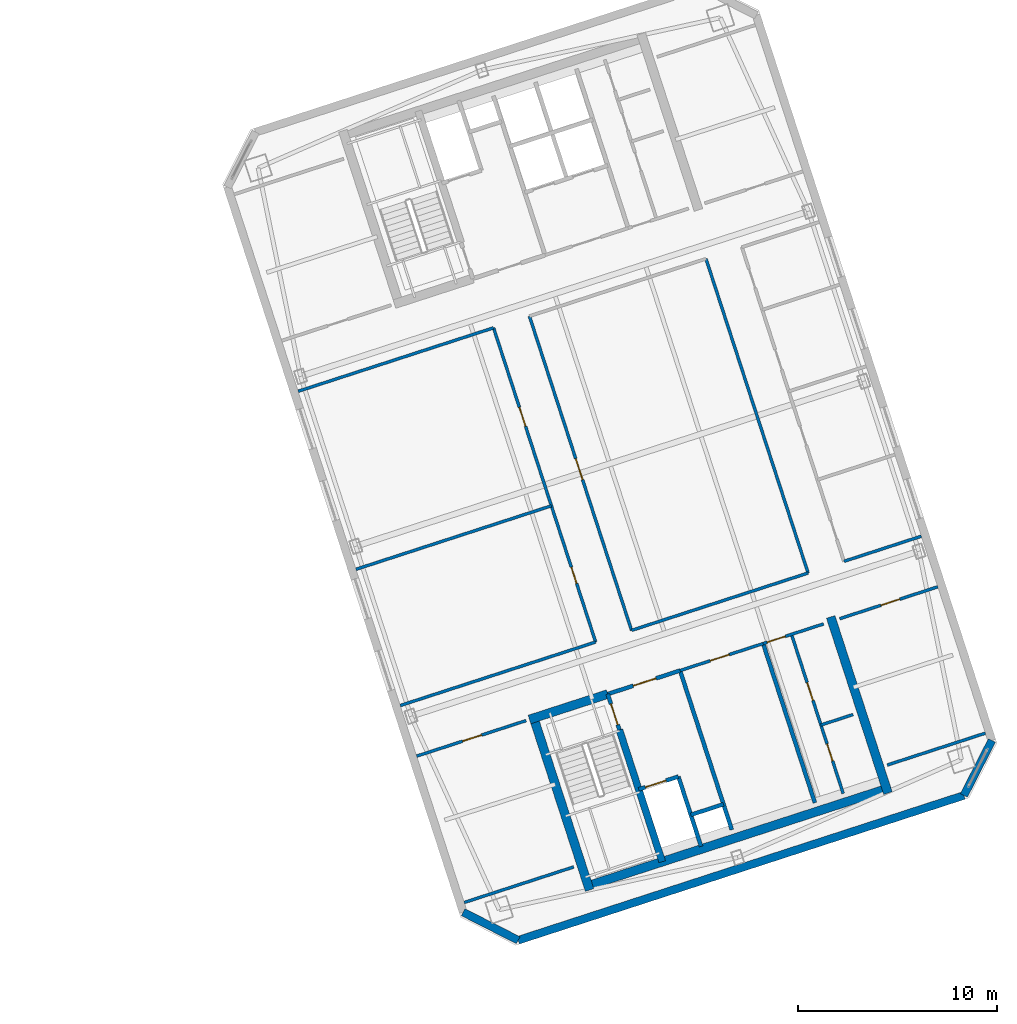
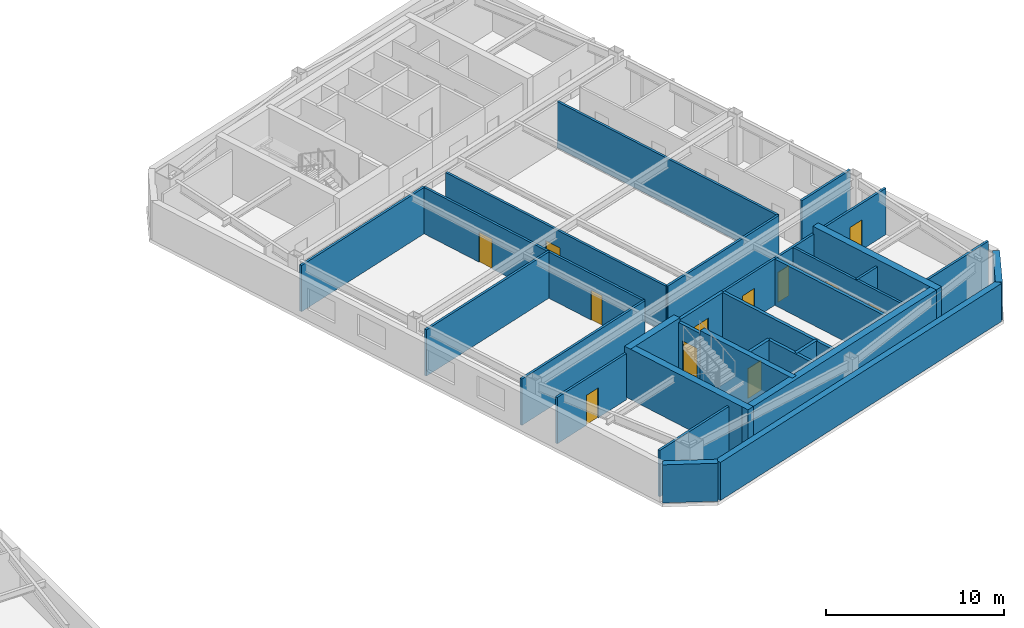
# One storey, part 20 of 25: 31 walls, 12 doors, 12 openings.
"""IFC4 building model written with IfcOpenShell, lengths in metres."""

from ifc_helpers import new_model, si_unit, direction, frame, frame_2d, origin, place, context, subcontext, project, spatial, rectangle, extrude, material, layer, layer_set, type_object, element, fill, save


model = new_model("IFC4")

# Units and contexts
model_context = context("Model", 3, precision=1e-05, world=origin(), true_north=direction((0.0, 1.0)))
body_context = subcontext(model_context, "Body", "Model", "MODEL_VIEW")
ifc_project = project(units=[si_unit("LENGTHUNIT", "METRE"), si_unit("AREAUNIT", "SQUARE_METRE"), si_unit("VOLUMEUNIT", "CUBIC_METRE"), si_unit("PLANEANGLEUNIT", "RADIAN"), si_unit("MASSUNIT", "GRAM", prefix="KILO")], contexts=[model_context])

# Site, building, storey
site_placement = place(None, origin())
site = spatial("IfcSite", under=ifc_project, at=site_placement, CompositionType="ELEMENT")
building_placement = place(site_placement, origin())
building = spatial("IfcBuilding", under=site, at=building_placement, Name="Qiaolan Cultural Towers", CompositionType="ELEMENT")
storey_placement = place(building_placement, frame((0.0, 0.0, 202.39990234375)))
storey = spatial("IfcBuildingStorey", under=building, at=storey_placement, Name="L54", CompositionType="ELEMENT", Elevation=202.39990234375)

# Walls
ifc_material_1 = material(Name="Concrete C50", Category="concrete")
ifc_layer_1 = layer(ifc_material_1, 0.35009765625)
ifc_layer_set_1 = layer_set([ifc_layer_1], Name="Concrete C50")
wall_type_1 = type_object("IfcWallType", Name="WL-CORE-350", PredefinedType="SHEAR", material=ifc_layer_set_1)
wall_1_placement = place(storey_placement, frame((90.486328125, 20.59423828125, 0.0), z_axis=(0.0, 0.0, 1.0), x_axis=(0.309020428229, -0.951055400562, 0.0)))
element("IfcWall", 1, at=wall_1_placement, inside=storey, type_object=wall_type_1, Name="L54 T2-CS Stair Core Dividing Web", PredefinedType="SHEAR", context=body_context, shape_type="SweptSolid", body=[
    extrude(rectangle(XDim=6.97998046875, YDim=0.35009765625, at=frame_2d((3.489990234375, 0.0))), origin(), (0.0, 0.0, 1.0), 3.4501953125),
])
ifc_material_2 = material(Name="Concrete C50", Category="concrete")
ifc_layer_2 = layer(ifc_material_2, 0.449951171875)
ifc_layer_set_2 = layer_set([ifc_layer_2], Name="Concrete C50")
wall_type_2 = type_object("IfcWallType", Name="WL-CORE-450", PredefinedType="SHEAR", material=ifc_layer_set_2)
wall_2_placement = place(storey_placement, frame((88.701171875, 12.675048828125, 0.0), z_axis=(0.0, 0.0, 1.0), x_axis=(0.95105824505, 0.309011673763, 0.0)))
element("IfcWall", 2, at=wall_2_placement, inside=storey, type_object=wall_type_2, Name="L54 T2-CS Outer Core Shear Wall", PredefinedType="SHEAR", context=body_context, shape_type="SweptSolid", body=[
    extrude(rectangle(XDim=16.250244140625, YDim=0.449951171875, at=frame_2d((8.125, 0.0))), origin(), (0.0, 0.0, 1.0), 3.4501953125),
])
for number, where, z_axis, x_axis, name in (
    (3, (86.1015625, 21.40380859375, 0.0), (0.0, 0.0, 1.0), (0.309035778627, -0.951050412717, 0.0), "L54 T2-CS West Core Shear Wall"),
    (4, (101.12841796875, 26.286376953125, 0.0), (0.0, 0.0, 1.0), (0.309004419953, -0.951060601881, 0.0), "L54 T2-CS East Core Shear Wall"),
):
    element("IfcWall", number, at=place(storey_placement, frame(where, z_axis=z_axis, x_axis=x_axis)), inside=storey, type_object=wall_type_2, Name=name, PredefinedType="SHEAR", context=body_context, shape_type="SweptSolid", body=[
        extrude(rectangle(XDim=9.330078125, YDim=0.449951171875, at=frame_2d((4.6650390625, 0.0))), origin(), (0.0, 0.0, 1.0), 3.4501953125),
    ])
wall_3_placement = place(storey_placement, frame((85.957275390625, 21.120361328125, 0.0), z_axis=(0.0, 0.0, 1.0), x_axis=(0.951064796122, 0.308991510526, 0.0)))
element("IfcWall", 5, at=wall_3_placement, inside=storey, type_object=wall_type_2, Name="L54 T2-CS Stair Front Shear Wall", PredefinedType="SHEAR", context=body_context, shape_type="SweptSolid", body=[
    extrude(rectangle(XDim=4.14501953125, YDim=0.449951171875, at=frame_2d((2.072509765625, 0.0))), origin(), (0.0, 0.0, 1.0), 3.4501953125),
])
ifc_material_3 = material(Name="Precast Concrete C50 Honed Stone Pier", Category="masonry")
ifc_layer_3 = layer(ifc_material_3, 0.39990234375)
ifc_layer_set_3 = layer_set([ifc_layer_3], Name="Precast Concrete C50 Honed Stone Pier")
wall_type_3 = type_object("IfcWallType", Name="WL-EXT-PIER-400", PredefinedType="SOLIDWALL", material=ifc_layer_set_3)
wall_4_placement = place(storey_placement, frame((109.247802734375, 20.06591796875, 0.0), z_axis=(0.0, 0.0, 1.0), x_axis=(-0.453949291228, -0.891027519774, 0.0)))
element("IfcWall", 6, at=wall_4_placement, inside=storey, type_object=wall_type_3, Name="L54 East Tower Precast Pier Facade Wall F6", PredefinedType="SOLIDWALL", context=body_context, shape_type="SweptSolid", body=[
    extrude(rectangle(XDim=3.111328125, YDim=0.39990234375, at=frame_2d((1.5556640625, 0.0))), origin(), (0.0, 0.0, 1.0), 2.610107421875),
])
wall_5_placement = place(storey_placement, frame((107.83544921875, 17.293701171875, 0.0), z_axis=(0.0, 0.0, 1.0), x_axis=(-0.951058012937, -0.309012388148, 0.0)))
element("IfcWall", 7, at=wall_5_placement, inside=storey, type_object=wall_type_3, Name="L54 East Tower Precast Pier Facade Wall F7", PredefinedType="SOLIDWALL", context=body_context, shape_type="SweptSolid", body=[
    extrude(rectangle(XDim=23.60009765625, YDim=0.39990234375, at=frame_2d((11.800048828125, 0.0))), origin(), (0.0, 0.0, 1.0), 2.610107421875),
])
wall_6_placement = place(storey_placement, frame((85.390380859375, 10.0009765625, 0.0), z_axis=(0.0, 0.0, 1.0), x_axis=(-0.890979603174, 0.454043331334, 0.0)))
element("IfcWall", 8, at=wall_6_placement, inside=storey, type_object=wall_type_3, Name="L54 East Tower Precast Pier Facade Wall F8", PredefinedType="SOLIDWALL", context=body_context, shape_type="SweptSolid", body=[
    extrude(rectangle(XDim=3.111083984375, YDim=0.39990234375, at=frame_2d((1.5556640625, 0.0))), origin(), (0.0, 0.0, 1.0), 2.610107421875),
])

# Wall, opening, door
ifc_material_4 = material(Name="Concrete C35 Fire Wall", Category="concrete")
ifc_layer_4 = layer(ifc_material_4, 0.199951171875)
ifc_layer_set_4 = layer_set([ifc_layer_4], Name="Concrete C35 Fire Wall")
wall_type_4 = type_object("IfcWallType", Name="WL-FIRE-200", PredefinedType="PARTITIONING", material=ifc_layer_set_4)
wall_7_placement = place(storey_placement, frame((89.8994140625, 22.401123046875, 0.0), z_axis=(0.0, 0.0, 1.0), x_axis=(0.308932062672, -0.951084108086, 0.0)))
wall_7 = element("IfcWall", 9, at=wall_7_placement, inside=storey, type_object=wall_type_4, Name="L54 T2-CS Smokeproof Stair Entry Wall", PredefinedType="PARTITIONING", context=body_context, shape_type="SweptSolid", body=[
    extrude(rectangle(XDim=1.89990234375, YDim=0.199951171875, at=frame_2d((0.949951171875, 0.0))), origin(), (0.0, 0.0, 1.0), 3.175048828125),
])
opening_1_placement = place(wall_7_placement, frame((0.52001953125, 0.0, 0.0)))
opening_1 = element("IfcOpeningElement", 10, at=opening_1_placement, cuts=wall_7, Name="Opening FD-04", PredefinedType="OPENING", context=body_context, shape_type="SweptSolid", body=[
    extrude(rectangle(XDim=1.10009765625, YDim=2.050048828125, at=frame_2d((0.550048828125, 1.02490234375))), frame((0.0, 0.10986328125, 0.0), z_axis=(0.0, -1.0, 0.0), x_axis=(1.0, 0.0, 0.0)), (0.0, 0.0, 1.0), 0.219970703125),
])
ifc_material_5 = material(Name="Galvanized Steel Command Fire Door", Category="steel")
door_type_1 = type_object("IfcDoorType", Name="DR-FD90-1100", OperationType="NOTDEFINED", PredefinedType="DOOR", material=ifc_material_5)
door_1_placement = place(opening_1_placement, origin())
door_1 = element("IfcDoor", 11, at=door_1_placement, inside=storey, type_object=door_type_1, Name="L54 ST-E1 Smokeproof Stair Fire Door", OperationType="SINGLE_SWING_LEFT", OverallHeight=2.050048828125, OverallWidth=1.10009765625, PredefinedType="DOOR", context=body_context, shape_type="SweptSolid", body=[
    extrude(rectangle(XDim=1.10009765625, YDim=2.050048828125, at=frame_2d((0.550048828125, 1.02490234375))), frame((0.0, 0.02490234375, 0.0), z_axis=(0.0, -1.0, 0.0), x_axis=(1.0, 0.0, 0.0)), (0.0, 0.0, 1.0), 0.050048828125),
])
fill(opening_1, door_1)

# Wall
wall_8_placement = place(storey_placement, frame((93.541748046875, 23.584716796875, 0.0), z_axis=(0.0, 0.0, 1.0), x_axis=(0.309042196757, -0.951048327176, 0.0)))
element("IfcWall", 12, at=wall_8_placement, inside=storey, type_object=wall_type_4, Name="L54 T2-CS Firefighting Zone Wall", PredefinedType="PARTITIONING", context=body_context, shape_type="SweptSolid", body=[
    extrude(rectangle(XDim=8.429931640625, YDim=0.199951171875, at=frame_2d((4.21484375, 0.0))), origin(), (0.0, 0.0, 1.0), 3.175048828125),
])

# Wall, opening, door
wall_9_placement = place(storey_placement, frame((89.8994140625, 22.401123046875, 0.0), z_axis=(0.0, 0.0, 1.0), x_axis=(0.951046716504, 0.309047153403, 0.0)))
wall_9 = element("IfcWall", 13, at=wall_9_placement, inside=storey, type_object=wall_type_4, Name="L54 T2-CS Firefighting Lobby Front Wall", PredefinedType="PARTITIONING", context=body_context, shape_type="SweptSolid", body=[
    extrude(rectangle(XDim=3.829833984375, YDim=0.199951171875, at=frame_2d((1.9150390625, 0.0))), origin(), (0.0, 0.0, 1.0), 3.175048828125),
])
opening_2_placement = place(wall_9_placement, frame((1.35009765625, 0.0, 0.0)))
opening_2 = element("IfcOpeningElement", 14, at=opening_2_placement, cuts=wall_9, Name="Opening FD-03", PredefinedType="OPENING", context=body_context, shape_type="SweptSolid", body=[
    extrude(rectangle(XDim=1.199951171875, YDim=2.050048828125, at=frame_2d((0.60009765625, 1.02490234375))), frame((0.0, 0.10986328125, 0.0), z_axis=(0.0, -1.0, 0.0), x_axis=(1.0, 0.0, 0.0)), (0.0, 0.0, 1.0), 0.219970703125),
])
ifc_material_6 = material(Name="Galvanized Steel Smokeproof Lobby Fire Door", Category="steel")
door_type_2 = type_object("IfcDoorType", Name="DR-FD90-1200", OperationType="NOTDEFINED", PredefinedType="DOOR", material=ifc_material_6)
door_2_placement = place(opening_2_placement, origin())
door_2 = element("IfcDoor", 15, at=door_2_placement, inside=storey, type_object=door_type_2, Name="L54 FFL-E1 Firefighting Lobby Fire Door", OperationType="SINGLE_SWING_LEFT", OverallHeight=2.050048828125, OverallWidth=1.199951171875, PredefinedType="DOOR", context=body_context, shape_type="SweptSolid", body=[
    extrude(rectangle(XDim=1.199951171875, YDim=2.050048828125, at=frame_2d((0.60009765625, 1.02490234375))), frame((0.0, 0.02490234375, 0.0), z_axis=(0.0, -1.0, 0.0), x_axis=(1.0, 0.0, 0.0)), (0.0, 0.0, 1.0), 0.050048828125),
])
fill(opening_2, door_2)

wall_10_placement = place(storey_placement, frame((91.459716796875, 17.598388671875, 0.0), z_axis=(0.0, 0.0, 1.0), x_axis=(0.951062257173, 0.308999325213, 0.0)))
wall_10 = element("IfcWall", 16, at=wall_10_placement, inside=storey, type_object=wall_type_4, Name="L54 T2-CS Firefighting Shaft Front Wall", PredefinedType="PARTITIONING", context=body_context, shape_type="SweptSolid", body=[
    extrude(rectangle(XDim=2.10009765625, YDim=0.199951171875, at=frame_2d((1.050048828125, 0.0))), origin(), (0.0, 0.0, 1.0), 3.175048828125),
])
opening_3_placement = place(wall_10_placement, frame((0.35009765625, 0.0, 0.0)))
opening_3 = element("IfcOpeningElement", 17, at=opening_3_placement, cuts=wall_10, Name="Opening LD-01", PredefinedType="OPENING", context=body_context, shape_type="SweptSolid", body=[
    extrude(rectangle(XDim=1.10009765625, YDim=2.050048828125, at=frame_2d((0.550048828125, 1.02490234375))), frame((0.0, 0.10986328125, 0.0), z_axis=(0.0, -1.0, 0.0), x_axis=(1.0, 0.0, 0.0)), (0.0, 0.0, 1.0), 0.219970703125),
])
ifc_material_7 = material(Name="Brushed Stainless Steel S30408 Centre-Parting Lift Landing Door", Category="steel")
door_type_3 = type_object("IfcDoorType", Name="DR-LIFT-1100", OperationType="NOTDEFINED", PredefinedType="DOOR", material=ifc_material_7)
door_3_placement = place(opening_3_placement, origin())
door_3 = element("IfcDoor", 18, at=door_3_placement, inside=storey, type_object=door_type_3, Name="L54 FFL-E1 Firefighting Lift Landing Door", OperationType="DOUBLE_DOOR_SLIDING", OverallHeight=2.050048828125, OverallWidth=1.10009765625, PredefinedType="DOOR", context=body_context, shape_type="SweptSolid", body=[
    extrude(rectangle(XDim=1.10009765625, YDim=2.050048828125, at=frame_2d((0.550048828125, 1.02490234375))), frame((0.0, 0.02490234375, 0.0), z_axis=(0.0, -1.0, 0.0), x_axis=(1.0, 0.0, 0.0)), (0.0, 0.0, 1.0), 0.050048828125),
])
fill(opening_3, door_3)

# Walls
wall_11_placement = place(storey_placement, frame((93.45703125, 18.247314453125, 0.0), z_axis=(0.0, 0.0, 1.0), x_axis=(0.3089935693, -0.951064127245, 0.0)))
element("IfcWall", 19, at=wall_11_placement, inside=storey, type_object=wall_type_4, Name="L54 T2-CS Firefighting Hoistway East Wall", PredefinedType="PARTITIONING", context=body_context, shape_type="SweptSolid", body=[
    extrude(rectangle(XDim=3.7001953125, YDim=0.199951171875, at=frame_2d((1.85009765625, 0.0))), origin(), (0.0, 0.0, 1.0), 3.175048828125),
])
wall_12_placement = place(storey_placement, frame((94.08447265625, 16.316650390625, 0.0), z_axis=(0.0, 0.0, 1.0), x_axis=(0.951041328149, 0.309063734775, 0.0)))
element("IfcWall", 20, at=wall_12_placement, inside=storey, type_object=wall_type_4, Name="L54 T2-CS Pressurization Shaft Front Wall", PredefinedType="PARTITIONING", context=body_context, shape_type="SweptSolid", body=[
    extrude(rectangle(XDim=1.72998046875, YDim=0.199951171875, at=frame_2d((0.864990234375, 0.0))), origin(), (0.0, 0.0, 1.0), 3.175048828125),
])
wall_13_placement = place(storey_placement, frame((97.7265625, 24.9443359375, 0.0), z_axis=(0.0, 0.0, 1.0), x_axis=(0.309016001439, -0.951056838919, 0.0)))
element("IfcWall", 21, at=wall_13_placement, inside=storey, type_object=wall_type_4, Name="L54 T2-CS Lift Core East Wall", PredefinedType="PARTITIONING", context=body_context, shape_type="SweptSolid", body=[
    extrude(rectangle(XDim=8.429931640625, YDim=0.199951171875, at=frame_2d((4.21484375, 0.0))), origin(), (0.0, 0.0, 1.0), 3.175048828125),
])

# Wall, opening, door
ifc_material_8 = material(Name="Autoclaved Aerated Concrete Block B06", Category="concrete")
ifc_layer_5 = layer(ifc_material_8, 0.14990234375)
ifc_layer_set_5 = layer_set([ifc_layer_5], Name="Autoclaved Aerated Concrete Block B06")
wall_type_5 = type_object("IfcWallType", Name="WL-PART-150", PredefinedType="PARTITIONING", material=ifc_layer_set_5)
wall_14_placement = place(storey_placement, frame((93.541748046875, 23.584716796875, 0.0), z_axis=(0.0, 0.0, 1.0), x_axis=(0.951063829732, 0.308994485023, 0.0)))
wall_14 = element("IfcWall", 22, at=wall_14_placement, inside=storey, type_object=wall_type_5, Name="L54 T2-CS Reclaimed Core Room Front Wall", PredefinedType="PARTITIONING", context=body_context, shape_type="SweptSolid", body=[
    extrude(rectangle(XDim=4.400146484375, YDim=0.14990234375, at=frame_2d((2.2001953125, 0.0))), origin(), (0.0, 0.0, 1.0), 3.175048828125),
])
opening_4_placement = place(wall_14_placement, frame((1.60009765625, 0.0, 0.0)))
opening_4 = element("IfcOpeningElement", 23, at=opening_4_placement, cuts=wall_14, Name="Opening ID-04", PredefinedType="OPENING", context=body_context, shape_type="SweptSolid", body=[
    extrude(rectangle(XDim=1.0, YDim=2.050048828125, at=frame_2d((0.5, 1.02490234375))), frame((0.0, 0.0849609375, 0.0), z_axis=(0.0, -1.0, 0.0), x_axis=(1.0, 0.0, 0.0)), (0.0, 0.0, 1.0), 0.169921875),
])
ifc_material_9 = material(Name="Oak Veneer Acoustic Office Door", Category="timber")
door_type_4 = type_object("IfcDoorType", Name="DR-INT-1000", OperationType="NOTDEFINED", PredefinedType="DOOR", material=ifc_material_9)
door_4_placement = place(opening_4_placement, origin())
door_4 = element("IfcDoor", 24, at=door_4_placement, inside=storey, type_object=door_type_4, Name="L54 Reclaimed Archive Room Door", OperationType="SINGLE_SWING_LEFT", OverallHeight=2.050048828125, OverallWidth=1.0, PredefinedType="DOOR", context=body_context, shape_type="SweptSolid", body=[
    extrude(rectangle(XDim=1.0, YDim=2.050048828125, at=frame_2d((0.5, 1.02490234375))), frame((0.0, 0.02490234375, 0.0), z_axis=(0.0, -1.0, 0.0), x_axis=(1.0, 0.0, 0.0)), (0.0, 0.0, 1.0), 0.050048828125),
])
fill(opening_4, door_4)

wall_15_placement = place(storey_placement, frame((97.7265625, 24.9443359375, 0.0), z_axis=(0.0, 0.0, 1.0), x_axis=(0.951036872128, 0.309077446369, 0.0)))
wall_15 = element("IfcWall", 25, at=wall_15_placement, inside=storey, type_object=wall_type_5, Name="L54 T2-CS Sanitary Core Front Wall", PredefinedType="PARTITIONING", context=body_context, shape_type="SweptSolid", body=[
    extrude(rectangle(XDim=3.199951171875, YDim=0.14990234375, at=frame_2d((1.60009765625, 0.0))), origin(), (0.0, 0.0, 1.0), 3.175048828125),
])
opening_5_placement = place(wall_15_placement, frame((0.219970703125, 0.0, 0.0)))
opening_5 = element("IfcOpeningElement", 26, at=opening_5_placement, cuts=wall_15, Name="Opening ID-05", PredefinedType="OPENING", context=body_context, shape_type="SweptSolid", body=[
    extrude(rectangle(XDim=0.949951171875, YDim=2.050048828125, at=frame_2d((0.47509765625, 1.02490234375))), frame((0.0, 0.0849609375, 0.0), z_axis=(0.0, -1.0, 0.0), x_axis=(1.0, 0.0, 0.0)), (0.0, 0.0, 1.0), 0.169921875),
])
ifc_material_10 = material(Name="Fire-Rated Laminate Accessible Core Door", Category="timber")
door_type_5 = type_object("IfcDoorType", Name="DR-INT-950", OperationType="NOTDEFINED", PredefinedType="DOOR", material=ifc_material_10)
door_5_placement = place(opening_5_placement, origin())
door_5 = element("IfcDoor", 27, at=door_5_placement, inside=storey, type_object=door_type_5, Name="L54 Sanitary Lobby Door", OperationType="SINGLE_SWING_LEFT", OverallHeight=2.050048828125, OverallWidth=0.949951171875, PredefinedType="DOOR", context=body_context, shape_type="SweptSolid", body=[
    extrude(rectangle(XDim=0.949951171875, YDim=2.050048828125, at=frame_2d((0.47509765625, 1.02490234375))), frame((0.0, 0.02490234375, 0.0), z_axis=(0.0, -1.0, 0.0), x_axis=(1.0, 0.0, 0.0)), (0.0, 0.0, 1.0), 0.050048828125),
])
fill(opening_5, door_5)

# Wall, openings, doors
wall_16_placement = place(storey_placement, frame((99.153076171875, 25.407958984375, 0.0), z_axis=(0.0, 0.0, 1.0), x_axis=(0.309016001439, -0.951056838919, 0.0)))
wall_16 = element("IfcWall", 28, at=wall_16_placement, inside=storey, type_object=wall_type_5, Name="L54 T2-CS Washroom Split Wall", PredefinedType="PARTITIONING", context=body_context, shape_type="SweptSolid", body=[
    extrude(rectangle(XDim=8.429931640625, YDim=0.14990234375, at=frame_2d((4.21484375, 0.0))), origin(), (0.0, 0.0, 1.0), 3.175048828125),
])
opening_6_placement = place(wall_16_placement, frame((2.550048828125, 0.0, 0.0)))
opening_6 = element("IfcOpeningElement", 29, at=opening_6_placement, cuts=wall_16, Name="Opening ID-05", PredefinedType="OPENING", context=body_context, shape_type="SweptSolid", body=[
    extrude(rectangle(XDim=0.949951171875, YDim=2.050048828125, at=frame_2d((0.47509765625, 1.02490234375))), frame((0.0, 0.0849609375, 0.0), z_axis=(0.0, -1.0, 0.0), x_axis=(1.0, 0.0, 0.0)), (0.0, 0.0, 1.0), 0.169921875),
])
opening_7_placement = place(wall_16_placement, frame((5.800048828125, 0.0, 0.0)))
opening_7 = element("IfcOpeningElement", 30, at=opening_7_placement, cuts=wall_16, Name="Opening ID-06", PredefinedType="OPENING", context=body_context, shape_type="SweptSolid", body=[
    extrude(rectangle(XDim=0.89990234375, YDim=2.050048828125, at=frame_2d((0.449951171875, 1.02490234375))), frame((0.0, 0.0849609375, 0.0), z_axis=(0.0, -1.0, 0.0), x_axis=(1.0, 0.0, 0.0)), (0.0, 0.0, 1.0), 0.169921875),
])
ifc_material_11 = material(Name="Fire-Rated Laminate Core Service Door", Category="timber")
door_type_6 = type_object("IfcDoorType", Name="DR-INT-900", OperationType="NOTDEFINED", PredefinedType="DOOR", material=ifc_material_11)
door_6_placement = place(opening_7_placement, origin())
door_6 = element("IfcDoor", 31, at=door_6_placement, inside=storey, type_object=door_type_6, Name="L54 First-Aid Room Door", OperationType="SINGLE_SWING_RIGHT", OverallHeight=2.050048828125, OverallWidth=0.89990234375, PredefinedType="DOOR", context=body_context, shape_type="SweptSolid", body=[
    extrude(rectangle(XDim=0.89990234375, YDim=2.050048828125, at=frame_2d((0.449951171875, 1.02490234375))), frame((0.0, 0.02490234375, 0.0), z_axis=(0.0, -1.0, 0.0), x_axis=(1.0, 0.0, 0.0)), (0.0, 0.0, 1.0), 0.050048828125),
])
fill(opening_7, door_6)
door_7_placement = place(opening_6_placement, origin())
door_7 = element("IfcDoor", 32, at=door_7_placement, inside=storey, type_object=door_type_5, Name="L54 Accessible Washroom Door", OperationType="SINGLE_SWING_LEFT", OverallHeight=2.050048828125, OverallWidth=0.949951171875, PredefinedType="DOOR", context=body_context, shape_type="SweptSolid", body=[
    extrude(rectangle(XDim=0.949951171875, YDim=2.050048828125, at=frame_2d((0.47509765625, 1.02490234375))), frame((0.0, 0.02490234375, 0.0), z_axis=(0.0, -1.0, 0.0), x_axis=(1.0, 0.0, 0.0)), (0.0, 0.0, 1.0), 0.050048828125),
])
fill(opening_6, door_7)

# Walls
wall_17_placement = place(storey_placement, frame((100.636474609375, 20.8427734375, 0.0), z_axis=(0.0, 0.0, 1.0), x_axis=(0.951040401051, 0.309066587596, 0.0)))
element("IfcWall", 33, at=wall_17_placement, inside=storey, type_object=wall_type_5, Name="L54 T2-CS First-Aid Wall", PredefinedType="PARTITIONING", context=body_context, shape_type="SweptSolid", body=[
    extrude(rectangle(XDim=1.699951171875, YDim=0.14990234375, at=frame_2d((0.85009765625, 0.0))), origin(), (0.0, 0.0, 1.0), 3.175048828125),
])
wall_18_placement = place(storey_placement, frame((82.66943359375, 11.9033203125, 0.0), z_axis=(0.0, 0.0, 1.0), x_axis=(0.951059431056, 0.309008023519, 0.0)))
element("IfcWall", 34, at=wall_18_placement, inside=storey, type_object=wall_type_5, Name="L54 T2 Flank Wall FLK-SW", PredefinedType="PARTITIONING", context=body_context, shape_type="SweptSolid", body=[
    extrude(rectangle(XDim=5.800048828125, YDim=0.14990234375, at=frame_2d((2.89990234375, 0.0))), origin(), (0.0, 0.0, 1.0), 3.175048828125),
])

# Wall, opening, door
wall_19_placement = place(storey_placement, frame((80.274658203125, 19.27392578125, 0.0), z_axis=(0.0, 0.0, 1.0), x_axis=(0.951059431056, 0.309008023519, 0.0)))
wall_19 = element("IfcWall", 35, at=wall_19_placement, inside=storey, type_object=wall_type_5, Name="L54 T2 Flank Front FLK-SW", PredefinedType="PARTITIONING", context=body_context, shape_type="SweptSolid", body=[
    extrude(rectangle(XDim=5.800048828125, YDim=0.14990234375, at=frame_2d((2.89990234375, 0.0))), origin(), (0.0, 0.0, 1.0), 3.175048828125),
])
opening_8_placement = place(wall_19_placement, frame((2.43603515625, 0.0, 0.0)))
opening_8 = element("IfcOpeningElement", 36, at=opening_8_placement, cuts=wall_19, Name="Opening ID-04", PredefinedType="OPENING", context=body_context, shape_type="SweptSolid", body=[
    extrude(rectangle(XDim=1.0, YDim=2.050048828125, at=frame_2d((0.5, 1.02490234375))), frame((0.0, 0.0849609375, 0.0), z_axis=(0.0, -1.0, 0.0), x_axis=(1.0, 0.0, 0.0)), (0.0, 0.0, 1.0), 0.169921875),
])
door_8_placement = place(opening_8_placement, origin())
door_8 = element("IfcDoor", 37, at=door_8_placement, inside=storey, type_object=door_type_4, Name="L54 T2 Corner Studio Door", OperationType="SINGLE_SWING_LEFT", OverallHeight=2.050048828125, OverallWidth=1.0, PredefinedType="DOOR", context=body_context, shape_type="SweptSolid", body=[
    extrude(rectangle(XDim=1.0, YDim=2.050048828125, at=frame_2d((0.5, 1.02490234375))), frame((0.0, 0.02490234375, 0.0), z_axis=(0.0, -1.0, 0.0), x_axis=(1.0, 0.0, 0.0)), (0.0, 0.0, 1.0), 0.050048828125),
])
fill(opening_8, door_8)

# Wall
wall_20_placement = place(storey_placement, frame((103.97314453125, 18.8251953125, 0.0), z_axis=(0.0, 0.0, 1.0), x_axis=(0.951055112834, 0.309021313752, 0.0)))
element("IfcWall", 38, at=wall_20_placement, inside=storey, type_object=wall_type_5, Name="L54 T2 Flank Wall FLK-SE", PredefinedType="PARTITIONING", context=body_context, shape_type="SweptSolid", body=[
    extrude(rectangle(XDim=5.2001953125, YDim=0.14990234375, at=frame_2d((2.60009765625, 0.0))), origin(), (0.0, 0.0, 1.0), 3.175048828125),
])

# Wall, opening, door
wall_21_placement = place(storey_placement, frame((101.578369140625, 26.196044921875, 0.0), z_axis=(0.0, 0.0, 1.0), x_axis=(0.951064427824, 0.308992644131, 0.0)))
wall_21 = element("IfcWall", 39, at=wall_21_placement, inside=storey, type_object=wall_type_5, Name="L54 T2 Flank Front FLK-SE", PredefinedType="PARTITIONING", context=body_context, shape_type="SweptSolid", body=[
    extrude(rectangle(XDim=5.19970703125, YDim=0.14990234375, at=frame_2d((2.599853515625, 0.0))), origin(), (0.0, 0.0, 1.0), 3.175048828125),
])
opening_9_placement = place(wall_21_placement, frame((2.18408203125, 0.0, 0.0)))
opening_9 = element("IfcOpeningElement", 40, at=opening_9_placement, cuts=wall_21, Name="Opening ID-04", PredefinedType="OPENING", context=body_context, shape_type="SweptSolid", body=[
    extrude(rectangle(XDim=1.0, YDim=2.050048828125, at=frame_2d((0.5, 1.02490234375))), frame((0.0, 0.0849609375, 0.0), z_axis=(0.0, -1.0, 0.0), x_axis=(1.0, 0.0, 0.0)), (0.0, 0.0, 1.0), 0.169921875),
])
door_9_placement = place(opening_9_placement, origin())
door_9 = element("IfcDoor", 41, at=door_9_placement, inside=storey, type_object=door_type_4, Name="L54 T2 Corner Studio Door", OperationType="SINGLE_SWING_LEFT", OverallHeight=2.050048828125, OverallWidth=1.0, PredefinedType="DOOR", context=body_context, shape_type="SweptSolid", body=[
    extrude(rectangle(XDim=1.0, YDim=2.050048828125, at=frame_2d((0.5, 1.02490234375))), frame((0.0, 0.02490234375, 0.0), z_axis=(0.0, -1.0, 0.0), x_axis=(1.0, 0.0, 0.0)), (0.0, 0.0, 1.0), 0.050048828125),
])
fill(opening_9, door_9)

# Walls
wall_22_placement = place(storey_placement, frame((79.446533203125, 21.82275390625, 0.0), z_axis=(0.0, 0.0, 1.0), x_axis=(0.951057294912, 0.309014598029, 0.0)))
element("IfcWall", 42, at=wall_22_placement, inside=storey, type_object=wall_type_5, Name="L54 T2 Interior Wall", PredefinedType="PARTITIONING", context=body_context, shape_type="SweptSolid", body=[
    extrude(rectangle(XDim=10.349853515625, YDim=0.14990234375, at=frame_2d((5.1748046875, 0.0))), origin(), (0.0, 0.0, 1.0), 3.175048828125),
])
wall_23_placement = place(storey_placement, frame((91.096923828125, 25.608154296875, 0.0), z_axis=(0.0, 0.0, 1.0), x_axis=(0.951053063704, 0.309027620156, 0.0)))
element("IfcWall", 43, at=wall_23_placement, inside=storey, type_object=wall_type_5, Name="L54 T2 Interior Wall", PredefinedType="PARTITIONING", context=body_context, shape_type="SweptSolid", body=[
    extrude(rectangle(XDim=9.35009765625, YDim=0.14990234375, at=frame_2d((4.675048828125, 0.0))), origin(), (0.0, 0.0, 1.0), 3.175048828125),
])
wall_24_placement = place(storey_placement, frame((101.79638671875, 29.084716796875, 0.0), z_axis=(0.0, 0.0, 1.0), x_axis=(0.951061634685, 0.309001241148, 0.0)))
element("IfcWall", 44, at=wall_24_placement, inside=storey, type_object=wall_type_5, Name="L54 T2 Interior Wall", PredefinedType="PARTITIONING", context=body_context, shape_type="SweptSolid", body=[
    extrude(rectangle(XDim=4.099853515625, YDim=0.14990234375, at=frame_2d((2.0498046875, 0.0))), origin(), (0.0, 0.0, 1.0), 3.175048828125),
])
wall_25_placement = place(storey_placement, frame((74.304443359375, 37.6484375, 0.0), z_axis=(0.0, 0.0, 1.0), x_axis=(0.951059547341, 0.309007665621, 0.0)))
element("IfcWall", 45, at=wall_25_placement, inside=storey, type_object=wall_type_5, Name="L54 T2 Interior Wall", PredefinedType="PARTITIONING", context=body_context, shape_type="SweptSolid", body=[
    extrude(rectangle(XDim=10.35009765625, YDim=0.14990234375, at=frame_2d((5.175048828125, 0.0))), origin(), (0.0, 0.0, 1.0), 3.175048828125),
])

# Wall, openings, doors
wall_26_placement = place(storey_placement, frame((89.289794921875, 25.02099609375, 0.0), z_axis=(0.0, 0.0, 1.0), x_axis=(-0.309004459387, 0.951060589068, 0.0)))
wall_26 = element("IfcWall", 46, at=wall_26_placement, inside=storey, type_object=wall_type_5, Name="L54 T2 Interior Wall", PredefinedType="PARTITIONING", context=body_context, shape_type="SweptSolid", body=[
    extrude(rectangle(XDim=16.64013671875, YDim=0.14990234375, at=frame_2d((8.320068359375, 0.0))), origin(), (0.0, 0.0, 1.0), 3.175048828125),
])
opening_10_placement = place(wall_26_placement, frame((3.10693359375, 0.0, 0.0)))
opening_10 = element("IfcOpeningElement", 47, at=opening_10_placement, cuts=wall_26, Name="Opening ID-09", PredefinedType="OPENING", context=body_context, shape_type="SweptSolid", body=[
    extrude(rectangle(XDim=0.85009765625, YDim=2.050048828125, at=frame_2d((0.425048828125, 1.02490234375))), frame((0.0, 0.0849609375, 0.0), z_axis=(0.0, -1.0, 0.0), x_axis=(1.0, 0.0, 0.0)), (0.0, 0.0, 1.0), 0.169921875),
])
opening_11_placement = place(wall_26_placement, frame((11.427001953125, 0.0, 0.0)))
opening_11 = element("IfcOpeningElement", 48, at=opening_11_placement, cuts=wall_26, Name="Opening ID-04", PredefinedType="OPENING", context=body_context, shape_type="SweptSolid", body=[
    extrude(rectangle(XDim=1.0, YDim=2.050048828125, at=frame_2d((0.5, 1.02490234375))), frame((0.0, 0.0849609375, 0.0), z_axis=(0.0, -1.0, 0.0), x_axis=(1.0, 0.0, 0.0)), (0.0, 0.0, 1.0), 0.169921875),
])
door_10_placement = place(opening_11_placement, origin())
door_10 = element("IfcDoor", 49, at=door_10_placement, inside=storey, type_object=door_type_4, Name="L54 T2 Forum Green Lounge Door", OperationType="SINGLE_SWING_RIGHT", OverallHeight=2.050048828125, OverallWidth=1.0, PredefinedType="DOOR", context=body_context, shape_type="SweptSolid", body=[
    extrude(rectangle(XDim=1.0, YDim=2.050048828125, at=frame_2d((0.5, 1.02490234375))), frame((0.0, 0.02490234375, 0.0), z_axis=(0.0, -1.0, 0.0), x_axis=(1.0, 0.0, 0.0)), (0.0, 0.0, 1.0), 0.050048828125),
])
fill(opening_11, door_10)
ifc_material_12 = material(Name="Moisture-Resistant Laminate Utility Door", Category="timber")
door_type_7 = type_object("IfcDoorType", Name="DR-INT-850", OperationType="NOTDEFINED", PredefinedType="DOOR", material=ifc_material_12)
door_11_placement = place(opening_10_placement, origin())
door_11 = element("IfcDoor", 50, at=door_11_placement, inside=storey, type_object=door_type_7, Name="L54 T2 Grand Cultural Forum Hall Door", OperationType="SINGLE_SWING_LEFT", OverallHeight=2.050048828125, OverallWidth=0.85009765625, PredefinedType="DOOR", context=body_context, shape_type="SweptSolid", body=[
    extrude(rectangle(XDim=0.85009765625, YDim=2.050048828125, at=frame_2d((0.425048828125, 1.02490234375))), frame((0.0, 0.02490234375, 0.0), z_axis=(0.0, -1.0, 0.0), x_axis=(1.0, 0.0, 0.0)), (0.0, 0.0, 1.0), 0.050048828125),
])
fill(opening_10, door_11)

# Wall, opening, door
wall_27_placement = place(storey_placement, frame((91.096923828125, 25.608154296875, 0.0), z_axis=(0.0, 0.0, 1.0), x_axis=(-0.30901773025, 0.951056277195, 0.0)))
wall_27 = element("IfcWall", 51, at=wall_27_placement, inside=storey, type_object=wall_type_5, Name="L54 T2 Interior Wall", PredefinedType="PARTITIONING", context=body_context, shape_type="SweptSolid", body=[
    extrude(rectangle(XDim=16.64013671875, YDim=0.14990234375, at=frame_2d((8.320068359375, 0.0))), origin(), (0.0, 0.0, 1.0), 3.175048828125),
])
opening_12_placement = place(wall_27_placement, frame((7.9873046875, 0.0, 0.0)))
opening_12 = element("IfcOpeningElement", 52, at=opening_12_placement, cuts=wall_27, Name="Opening ID-03", PredefinedType="OPENING", context=body_context, shape_type="SweptSolid", body=[
    extrude(rectangle(XDim=1.10009765625, YDim=2.050048828125, at=frame_2d((0.550048828125, 1.02490234375))), frame((0.0, 0.0849609375, 0.0), z_axis=(0.0, -1.0, 0.0), x_axis=(1.0, 0.0, 0.0)), (0.0, 0.0, 1.0), 0.169921875),
])
ifc_material_13 = material(Name="Oak Veneer Solid-Core Boardroom Door", Category="timber")
door_type_8 = type_object("IfcDoorType", Name="DR-INT-1100", OperationType="NOTDEFINED", PredefinedType="DOOR", material=ifc_material_13)
door_12_placement = place(opening_12_placement, origin())
door_12 = element("IfcDoor", 53, at=door_12_placement, inside=storey, type_object=door_type_8, Name="L54 T2 Central Colloquium Hall Door", OperationType="SINGLE_SWING_LEFT", OverallHeight=2.050048828125, OverallWidth=1.10009765625, PredefinedType="DOOR", context=body_context, shape_type="SweptSolid", body=[
    extrude(rectangle(XDim=1.10009765625, YDim=2.050048828125, at=frame_2d((0.550048828125, 1.02490234375))), frame((0.0, 0.02490234375, 0.0), z_axis=(0.0, -1.0, 0.0), x_axis=(1.0, 0.0, 0.0)), (0.0, 0.0, 1.0), 0.050048828125),
])
fill(opening_12, door_12)

# Walls
wall_28_placement = place(storey_placement, frame((99.9892578125, 28.49755859375, 0.0), z_axis=(0.0, 0.0, 1.0), x_axis=(-0.30901773025, 0.951056277195, 0.0)))
element("IfcWall", 54, at=wall_28_placement, inside=storey, type_object=wall_type_5, Name="L54 T2 Interior Wall", PredefinedType="PARTITIONING", context=body_context, shape_type="SweptSolid", body=[
    extrude(rectangle(XDim=16.64013671875, YDim=0.14990234375, at=frame_2d((8.320068359375, 0.0))), origin(), (0.0, 0.0, 1.0), 3.175048828125),
])
wall_29_placement = place(storey_placement, frame((77.21728515625, 28.68359375, 0.0), z_axis=(0.0, 0.0, 1.0), x_axis=(0.951059547341, 0.309007665621, 0.0)))
element("IfcWall", 55, at=wall_29_placement, inside=storey, type_object=wall_type_5, Name="L54 T2 Interior Wall", PredefinedType="PARTITIONING", context=body_context, shape_type="SweptSolid", body=[
    extrude(rectangle(XDim=10.35009765625, YDim=0.14990234375, at=frame_2d((5.175048828125, 0.0))), origin(), (0.0, 0.0, 1.0), 3.175048828125),
])

save(model, "model.ifc")
